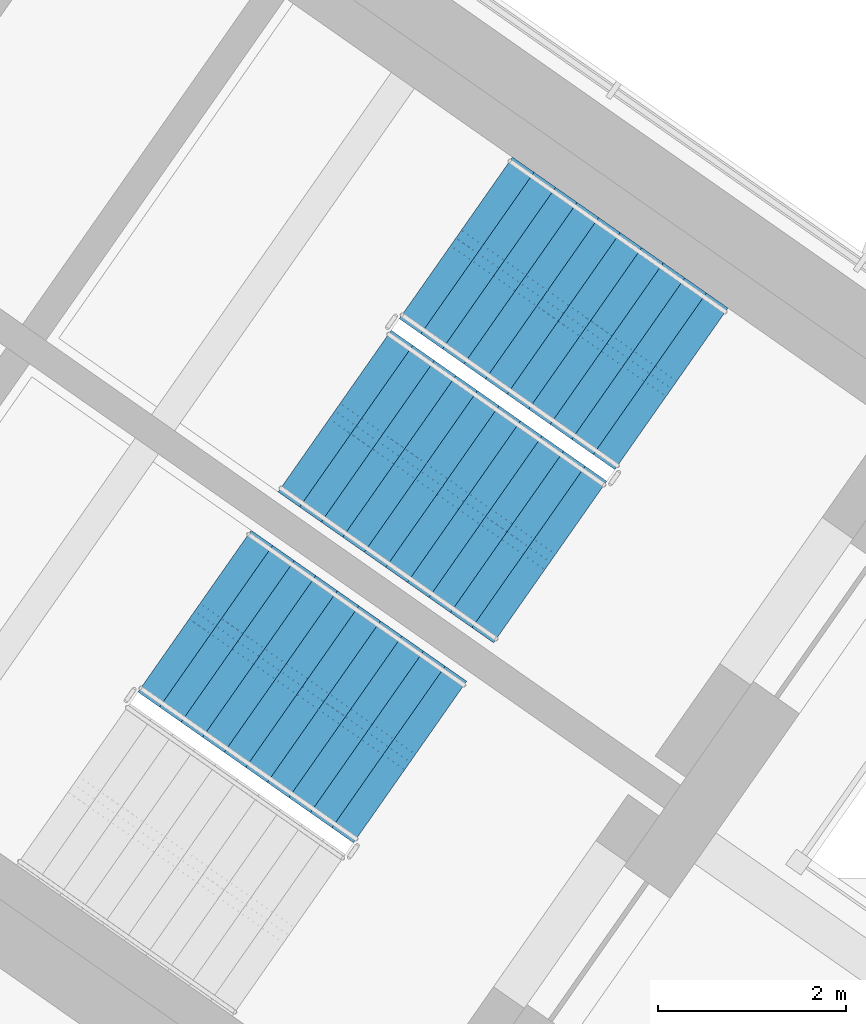
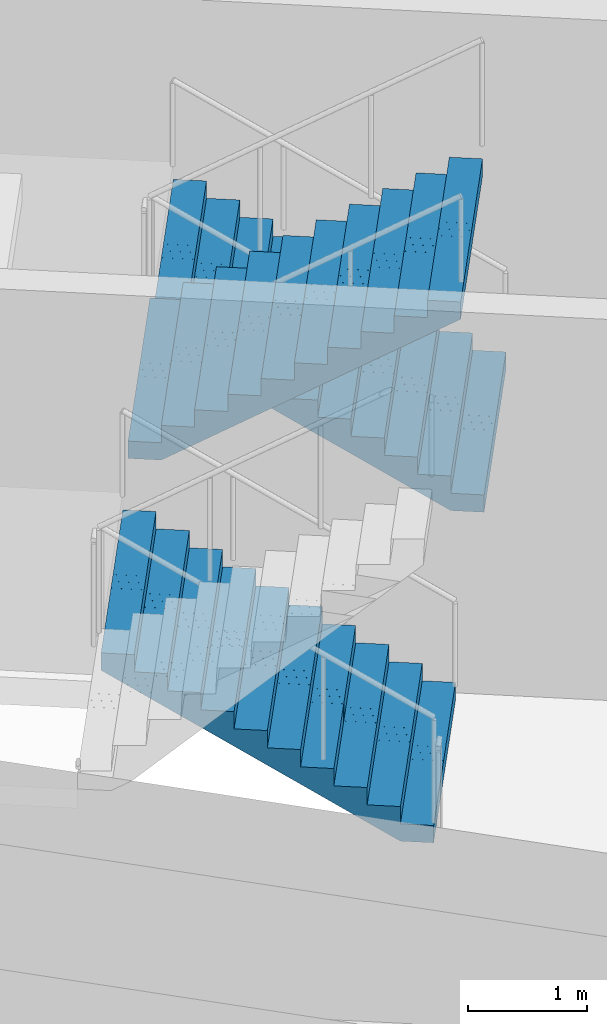
# One storey, part 12 of 18: 3 stair flights, 2 elements without a shape of their own.
"""IFC4 building model written with IfcOpenShell, lengths in metres."""

from ifc_helpers import new_model, si_unit, direction, frame, origin, place, context, subcontext, project, spatial, polyline, outline, extrude, material, type_object, element, aggregate, save


model = new_model("IFC4")

# Units and contexts
model_context = context("Model", 3, precision=1e-05, world=origin(), true_north=direction((0.0, 1.0)))
body_context = subcontext(model_context, "Body", "Model", "MODEL_VIEW")
ifc_project = project(units=[si_unit("LENGTHUNIT", "METRE"), si_unit("AREAUNIT", "SQUARE_METRE"), si_unit("VOLUMEUNIT", "CUBIC_METRE"), si_unit("PLANEANGLEUNIT", "RADIAN"), si_unit("MASSUNIT", "GRAM", prefix="KILO")], contexts=[model_context])

# Site, building, storey
site_placement = place(None, origin())
site = spatial("IfcSite", under=ifc_project, at=site_placement, CompositionType="ELEMENT")
building_placement = place(site_placement, origin())
building = spatial("IfcBuilding", under=site, at=building_placement, Name="Tel Ilan Convention Tower", CompositionType="ELEMENT")
storey_placement = place(building_placement, frame((0.0, 0.0, 272.199951171875)))
storey = spatial("IfcBuildingStorey", under=building, at=storey_placement, Name="L64", CompositionType="ELEMENT", Elevation=272.199951171875)

# Stair, stair flights
ifc_material_1 = material(Name="Concrete C40/50", Category="concrete")
stair_type = type_object("IfcStairType", Name="Pressurised Exit Stair 22 risers 177 mm", PredefinedType="HALF_TURN_STAIR", material=ifc_material_1)
stair_1_placement = place(storey_placement, origin())
stair_1 = element("IfcStair", 1, at=stair_1_placement, inside=storey, type_object=stair_type, Name="L64 Pressurised Stair S3", PredefinedType="HALF_TURN_STAIR")
ifc_material_2 = material(Name="Precast Concrete C40/50", Category="concrete")
stair_flight_type = type_object("IfcStairFlightType", Name="Concrete Stair Flight 2100 mm 22 risers 177 mm", PredefinedType="STRAIGHT", material=ifc_material_2)
stair_flight_1_placement = place(storey_placement, frame((24.25244140625, -7.032470703125, 0.0), z_axis=(0.0, 0.0, 1.0), x_axis=(-0.819152044289, 0.573576436351, 0.0)))
stair_flight_1 = element("IfcStairFlight", 2, at=stair_flight_1_placement, type_object=stair_flight_type, Name="S3 flight 1", NumberOfRisers=11, NumberOfTreads=10, PredefinedType="STRAIGHT", RiserHeight=0.177272727, TreadLength=0.28, context=body_context, shape_type="SweptSolid", body=[
    extrude(outline(polyline([(0.0, 0.0), (0.0, 0.17724609375), (0.280029296875, 0.17724609375), (0.280029296875, 0.3544921875), (0.56005859375, 0.3544921875), (0.56005859375, 0.53173828125), (0.840087890625, 0.53173828125), (0.840087890625, 0.708984375), (1.1201171875, 0.708984375), (1.1201171875, 0.886474609375), (1.39990234375, 0.886474609375), (1.39990234375, 1.063720703125), (1.679931640625, 1.063720703125), (1.679931640625, 1.240966796875), (1.9599609375, 1.240966796875), (1.9599609375, 1.418212890625), (2.239990234375, 1.418212890625), (2.239990234375, 1.595458984375), (2.52001953125, 1.595458984375), (2.52001953125, 1.772705078125), (2.800048828125, 1.772705078125), (2.800048828125, 1.949951171875), (2.800048828125, 1.59521484375), (0.2802734375, 0.0), (0.0, 0.0)])), frame((0.0, -0.100341796875, 0.0), z_axis=(0.0, -1.0, 0.0), x_axis=(1.0, 0.0, 0.0)), (0.0, 0.0, 1.0), 0.94970703125),
    extrude(outline(polyline([(0.0, 0.0), (0.0, 0.17724609375), (0.280029296875, 0.17724609375), (0.280029296875, 0.3544921875), (0.56005859375, 0.3544921875), (0.56005859375, 0.53173828125), (0.840087890625, 0.53173828125), (0.840087890625, 0.708984375), (1.1201171875, 0.708984375), (1.1201171875, 0.886474609375), (1.39990234375, 0.886474609375), (1.39990234375, 1.063720703125), (1.679931640625, 1.063720703125), (1.679931640625, 1.240966796875), (1.9599609375, 1.240966796875), (1.9599609375, 1.418212890625), (2.239990234375, 1.418212890625), (2.239990234375, 1.595458984375), (2.52001953125, 1.595458984375), (2.52001953125, 1.772705078125), (2.800048828125, 1.772705078125), (2.800048828125, 1.949951171875), (2.800048828125, 1.59521484375), (0.2802734375, 0.0), (0.0, 0.0)])), frame((0.0, -0.000244140625, 0.0), z_axis=(0.0, -1.0, 0.0), x_axis=(1.0, 0.0, 0.0)), (0.0, 0.0, 1.0), 0.099609375),
    extrude(outline(polyline([(0.0, 0.0), (0.0, 0.17724609375), (0.280029296875, 0.17724609375), (0.280029296875, 0.3544921875), (0.56005859375, 0.3544921875), (0.56005859375, 0.53173828125), (0.840087890625, 0.53173828125), (0.840087890625, 0.708984375), (1.1201171875, 0.708984375), (1.1201171875, 0.886474609375), (1.39990234375, 0.886474609375), (1.39990234375, 1.063720703125), (1.679931640625, 1.063720703125), (1.679931640625, 1.240966796875), (1.9599609375, 1.240966796875), (1.9599609375, 1.418212890625), (2.239990234375, 1.418212890625), (2.239990234375, 1.595458984375), (2.52001953125, 1.595458984375), (2.52001953125, 1.772705078125), (2.800048828125, 1.772705078125), (2.800048828125, 1.949951171875), (2.800048828125, 1.59521484375), (0.2802734375, 0.0), (0.0, 0.0)])), frame((0.0, 0.099853515625, 0.0), z_axis=(0.0, -1.0, 0.0), x_axis=(1.0, 0.0, 0.0)), (0.0, 0.0, 1.0), 0.099609375),
    extrude(outline(polyline([(0.0, 0.0), (0.0, 0.17724609375), (0.280029296875, 0.17724609375), (0.280029296875, 0.3544921875), (0.56005859375, 0.3544921875), (0.56005859375, 0.53173828125), (0.840087890625, 0.53173828125), (0.840087890625, 0.708984375), (1.1201171875, 0.708984375), (1.1201171875, 0.886474609375), (1.39990234375, 0.886474609375), (1.39990234375, 1.063720703125), (1.679931640625, 1.063720703125), (1.679931640625, 1.240966796875), (1.9599609375, 1.240966796875), (1.9599609375, 1.418212890625), (2.239990234375, 1.418212890625), (2.239990234375, 1.595458984375), (2.52001953125, 1.595458984375), (2.52001953125, 1.772705078125), (2.800048828125, 1.772705078125), (2.800048828125, 1.949951171875), (2.800048828125, 1.59521484375), (0.2802734375, 0.0), (0.0, 0.0)])), frame((0.0, 1.050048828125, 0.0), z_axis=(0.0, -1.0, 0.0), x_axis=(1.0, 0.0, 0.0)), (0.0, 0.0, 1.0), 0.94970703125),
])
stair_flight_2_placement = place(storey_placement, frame((20.668212890625, -7.26953125, 1.949951171875), z_axis=(0.0, 0.0, 1.0), x_axis=(0.819152044289, -0.573576436351, 0.0)))
stair_flight_2 = element("IfcStairFlight", 3, at=stair_flight_2_placement, type_object=stair_flight_type, Name="S3 flight 2", NumberOfRisers=11, NumberOfTreads=10, PredefinedType="STRAIGHT", RiserHeight=0.177272727, TreadLength=0.28, context=body_context, shape_type="SweptSolid", body=[
    extrude(outline(polyline([(0.0, 0.0), (0.0, 0.17724609375), (0.280029296875, 0.17724609375), (0.280029296875, 0.3544921875), (0.56005859375, 0.3544921875), (0.56005859375, 0.53173828125), (0.840087890625, 0.53173828125), (0.840087890625, 0.708984375), (1.1201171875, 0.708984375), (1.1201171875, 0.886474609375), (1.39990234375, 0.886474609375), (1.39990234375, 1.063720703125), (1.679931640625, 1.063720703125), (1.679931640625, 1.240966796875), (1.9599609375, 1.240966796875), (1.9599609375, 1.418212890625), (2.239990234375, 1.418212890625), (2.239990234375, 1.595458984375), (2.52001953125, 1.595458984375), (2.52001953125, 1.772705078125), (2.800048828125, 1.772705078125), (2.800048828125, 1.949951171875), (2.800048828125, 1.59521484375), (0.2802734375, 0.0), (0.0, 0.0)])), frame((0.0, -0.100341796875, 0.0), z_axis=(0.0, -1.0, 0.0), x_axis=(1.0, 0.0, 0.0)), (0.0, 0.0, 1.0), 0.94970703125),
    extrude(outline(polyline([(0.0, 0.0), (0.0, 0.17724609375), (0.280029296875, 0.17724609375), (0.280029296875, 0.3544921875), (0.56005859375, 0.3544921875), (0.56005859375, 0.53173828125), (0.840087890625, 0.53173828125), (0.840087890625, 0.708984375), (1.1201171875, 0.708984375), (1.1201171875, 0.886474609375), (1.39990234375, 0.886474609375), (1.39990234375, 1.063720703125), (1.679931640625, 1.063720703125), (1.679931640625, 1.240966796875), (1.9599609375, 1.240966796875), (1.9599609375, 1.418212890625), (2.239990234375, 1.418212890625), (2.239990234375, 1.595458984375), (2.52001953125, 1.595458984375), (2.52001953125, 1.772705078125), (2.800048828125, 1.772705078125), (2.800048828125, 1.949951171875), (2.800048828125, 1.59521484375), (0.2802734375, 0.0), (0.0, 0.0)])), frame((0.0, -0.000244140625, 0.0), z_axis=(0.0, -1.0, 0.0), x_axis=(1.0, 0.0, 0.0)), (0.0, 0.0, 1.0), 0.099609375),
    extrude(outline(polyline([(0.0, 0.0), (0.0, 0.17724609375), (0.280029296875, 0.17724609375), (0.280029296875, 0.3544921875), (0.56005859375, 0.3544921875), (0.56005859375, 0.53173828125), (0.840087890625, 0.53173828125), (0.840087890625, 0.708984375), (1.1201171875, 0.708984375), (1.1201171875, 0.886474609375), (1.39990234375, 0.886474609375), (1.39990234375, 1.063720703125), (1.679931640625, 1.063720703125), (1.679931640625, 1.240966796875), (1.9599609375, 1.240966796875), (1.9599609375, 1.418212890625), (2.239990234375, 1.418212890625), (2.239990234375, 1.595458984375), (2.52001953125, 1.595458984375), (2.52001953125, 1.772705078125), (2.800048828125, 1.772705078125), (2.800048828125, 1.949951171875), (2.800048828125, 1.59521484375), (0.2802734375, 0.0), (0.0, 0.0)])), frame((0.0, 0.099853515625, 0.0), z_axis=(0.0, -1.0, 0.0), x_axis=(1.0, 0.0, 0.0)), (0.0, 0.0, 1.0), 0.099609375),
    extrude(outline(polyline([(0.0, 0.0), (0.0, 0.17724609375), (0.280029296875, 0.17724609375), (0.280029296875, 0.3544921875), (0.56005859375, 0.3544921875), (0.56005859375, 0.53173828125), (0.840087890625, 0.53173828125), (0.840087890625, 0.708984375), (1.1201171875, 0.708984375), (1.1201171875, 0.886474609375), (1.39990234375, 0.886474609375), (1.39990234375, 1.063720703125), (1.679931640625, 1.063720703125), (1.679931640625, 1.240966796875), (1.9599609375, 1.240966796875), (1.9599609375, 1.418212890625), (2.239990234375, 1.418212890625), (2.239990234375, 1.595458984375), (2.52001953125, 1.595458984375), (2.52001953125, 1.772705078125), (2.800048828125, 1.772705078125), (2.800048828125, 1.949951171875), (2.800048828125, 1.59521484375), (0.2802734375, 0.0), (0.0, 0.0)])), frame((0.0, 1.050048828125, 0.0), z_axis=(0.0, -1.0, 0.0), x_axis=(1.0, 0.0, 0.0)), (0.0, 0.0, 1.0), 0.94970703125),
])
aggregate(stair_1, [stair_flight_1, stair_flight_2])

# Stair, stair flight
stair_2_placement = place(storey_placement, origin())
stair_2 = element("IfcStair", 4, at=stair_2_placement, inside=storey, type_object=stair_type, Name="L64 Pressurised Stair S4", PredefinedType="HALF_TURN_STAIR")
stair_flight_3_placement = place(storey_placement, frame((21.470458984375, -11.00537109375, 0.0), z_axis=(0.0, 0.0, 1.0), x_axis=(-0.819152044289, 0.573576436351, 0.0)))
stair_flight_3 = element("IfcStairFlight", 5, at=stair_flight_3_placement, type_object=stair_flight_type, Name="S4 flight 1", NumberOfRisers=11, NumberOfTreads=10, PredefinedType="STRAIGHT", RiserHeight=0.177272727, TreadLength=0.28, context=body_context, shape_type="SweptSolid", body=[
    extrude(outline(polyline([(0.0, 0.0), (0.0, 0.17724609375), (0.280029296875, 0.17724609375), (0.280029296875, 0.3544921875), (0.56005859375, 0.3544921875), (0.56005859375, 0.53173828125), (0.840087890625, 0.53173828125), (0.840087890625, 0.708984375), (1.1201171875, 0.708984375), (1.1201171875, 0.886474609375), (1.39990234375, 0.886474609375), (1.39990234375, 1.063720703125), (1.679931640625, 1.063720703125), (1.679931640625, 1.240966796875), (1.9599609375, 1.240966796875), (1.9599609375, 1.418212890625), (2.239990234375, 1.418212890625), (2.239990234375, 1.595458984375), (2.52001953125, 1.595458984375), (2.52001953125, 1.772705078125), (2.800048828125, 1.772705078125), (2.800048828125, 1.949951171875), (2.800048828125, 1.59521484375), (0.2802734375, 0.0), (0.0, 0.0)])), frame((0.0, -0.100341796875, 0.0), z_axis=(0.0, -1.0, 0.0), x_axis=(1.0, 0.0, 0.0)), (0.0, 0.0, 1.0), 0.94970703125),
    extrude(outline(polyline([(0.0, 0.0), (0.0, 0.17724609375), (0.280029296875, 0.17724609375), (0.280029296875, 0.3544921875), (0.56005859375, 0.3544921875), (0.56005859375, 0.53173828125), (0.840087890625, 0.53173828125), (0.840087890625, 0.708984375), (1.1201171875, 0.708984375), (1.1201171875, 0.886474609375), (1.39990234375, 0.886474609375), (1.39990234375, 1.063720703125), (1.679931640625, 1.063720703125), (1.679931640625, 1.240966796875), (1.9599609375, 1.240966796875), (1.9599609375, 1.418212890625), (2.239990234375, 1.418212890625), (2.239990234375, 1.595458984375), (2.52001953125, 1.595458984375), (2.52001953125, 1.772705078125), (2.800048828125, 1.772705078125), (2.800048828125, 1.949951171875), (2.800048828125, 1.59521484375), (0.2802734375, 0.0), (0.0, 0.0)])), frame((0.0, -0.000244140625, 0.0), z_axis=(0.0, -1.0, 0.0), x_axis=(1.0, 0.0, 0.0)), (0.0, 0.0, 1.0), 0.099609375),
    extrude(outline(polyline([(0.0, 0.0), (0.0, 0.17724609375), (0.280029296875, 0.17724609375), (0.280029296875, 0.3544921875), (0.56005859375, 0.3544921875), (0.56005859375, 0.53173828125), (0.840087890625, 0.53173828125), (0.840087890625, 0.708984375), (1.1201171875, 0.708984375), (1.1201171875, 0.886474609375), (1.39990234375, 0.886474609375), (1.39990234375, 1.063720703125), (1.679931640625, 1.063720703125), (1.679931640625, 1.240966796875), (1.9599609375, 1.240966796875), (1.9599609375, 1.418212890625), (2.239990234375, 1.418212890625), (2.239990234375, 1.595458984375), (2.52001953125, 1.595458984375), (2.52001953125, 1.772705078125), (2.800048828125, 1.772705078125), (2.800048828125, 1.949951171875), (2.800048828125, 1.59521484375), (0.2802734375, 0.0), (0.0, 0.0)])), frame((0.0, 0.099853515625, 0.0), z_axis=(0.0, -1.0, 0.0), x_axis=(1.0, 0.0, 0.0)), (0.0, 0.0, 1.0), 0.099609375),
    extrude(outline(polyline([(0.0, 0.0), (0.0, 0.17724609375), (0.280029296875, 0.17724609375), (0.280029296875, 0.3544921875), (0.56005859375, 0.3544921875), (0.56005859375, 0.53173828125), (0.840087890625, 0.53173828125), (0.840087890625, 0.708984375), (1.1201171875, 0.708984375), (1.1201171875, 0.886474609375), (1.39990234375, 0.886474609375), (1.39990234375, 1.063720703125), (1.679931640625, 1.063720703125), (1.679931640625, 1.240966796875), (1.9599609375, 1.240966796875), (1.9599609375, 1.418212890625), (2.239990234375, 1.418212890625), (2.239990234375, 1.595458984375), (2.52001953125, 1.595458984375), (2.52001953125, 1.772705078125), (2.800048828125, 1.772705078125), (2.800048828125, 1.949951171875), (2.800048828125, 1.59521484375), (0.2802734375, 0.0), (0.0, 0.0)])), frame((0.0, 1.050048828125, 0.0), z_axis=(0.0, -1.0, 0.0), x_axis=(1.0, 0.0, 0.0)), (0.0, 0.0, 1.0), 0.94970703125),
])
aggregate(stair_2, [stair_flight_3])

save(model, "model.ifc")
